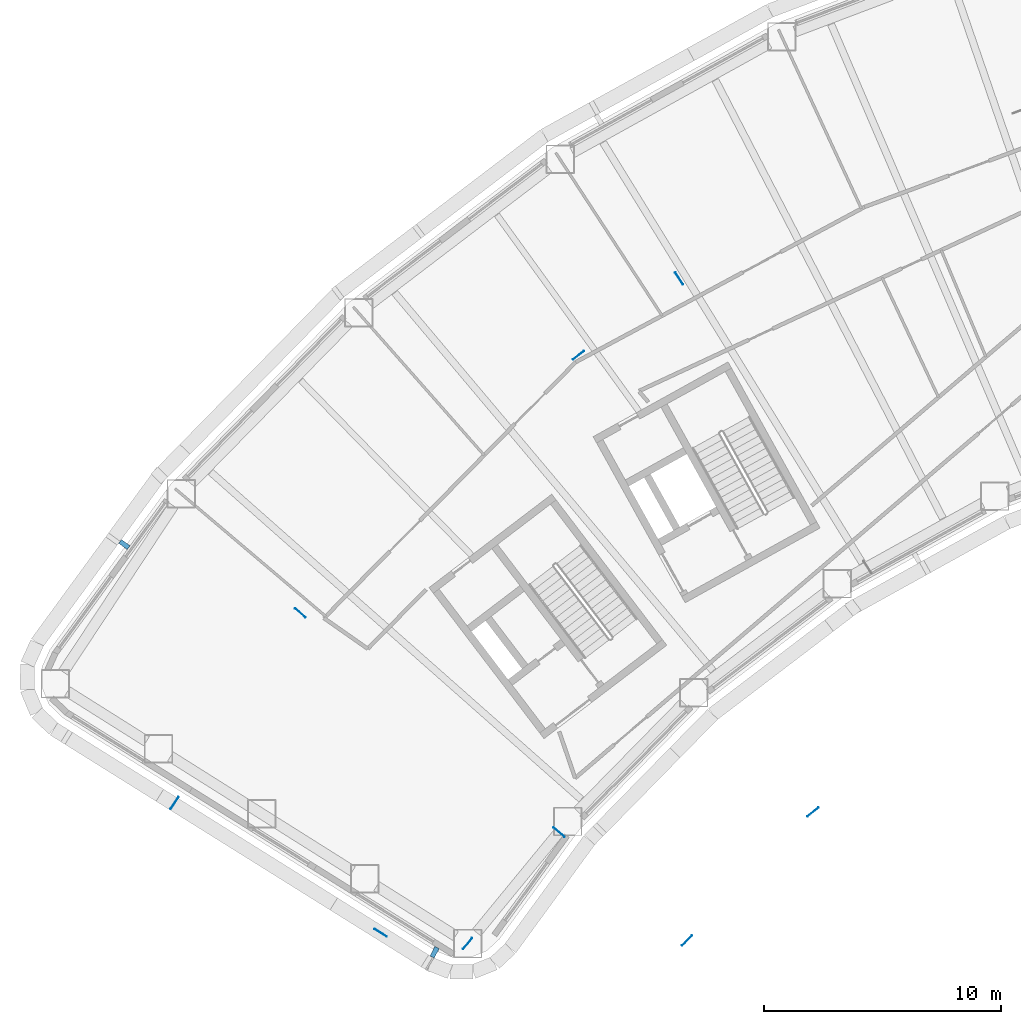
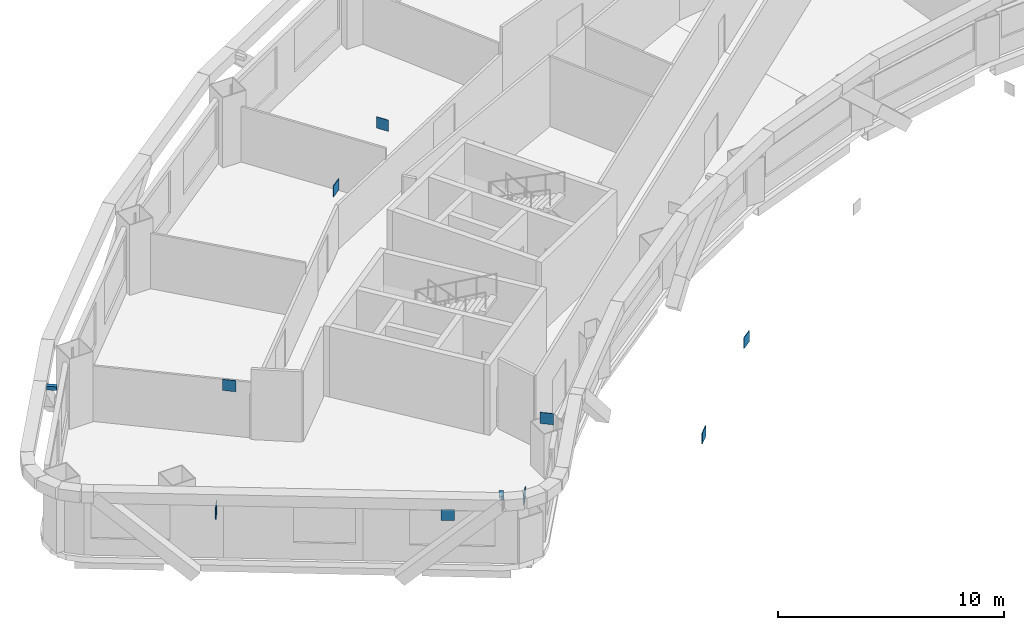
# One storey, part 10 of 19: 11 discrete accessories.
"""IFC4 building model written with IfcOpenShell, lengths in metres."""

from ifc_helpers import new_model, si_unit, direction, frame, origin, origin_2d, place, context, subcontext, project, spatial, rectangle, extrude, material, type_object, element, save


model = new_model("IFC4")

# Units and contexts
model_context = context("Model", 3, precision=1e-05, world=origin(), true_north=direction((0.0, 1.0)))
body_context = subcontext(model_context, "Body", "Model", "MODEL_VIEW")
ifc_project = project(units=[si_unit("LENGTHUNIT", "METRE"), si_unit("AREAUNIT", "SQUARE_METRE"), si_unit("VOLUMEUNIT", "CUBIC_METRE"), si_unit("PLANEANGLEUNIT", "RADIAN"), si_unit("MASSUNIT", "GRAM", prefix="KILO")], contexts=[model_context])

# Site, building, storey
site_placement = place(None, origin())
site = spatial("IfcSite", under=ifc_project, at=site_placement, CompositionType="ELEMENT")
building_placement = place(site_placement, origin())
building = spatial("IfcBuilding", under=site, at=building_placement, Name="Tuul Gate Civic Tower", CompositionType="ELEMENT")
storey_placement = place(building_placement, frame((0.0, 0.0, 90.60009765625)))
storey = spatial("IfcBuildingStorey", under=building, at=storey_placement, Name="Level 20", CompositionType="ELEMENT", Elevation=90.60009765625)

# Discrete accessories
ifc_material_1 = material(Name="Steel S355", Category="steel")
discrete_accessory_type_1 = type_object("IfcDiscreteAccessoryType", Name="Gusset plate", PredefinedType="BRACKET", material=ifc_material_1)
for number, where, z_axis, x_axis, name in (
    (1, (-30.576904296875, 1.664794921875, 2.796875), (0.0, 0.0, 1.0), (0.546721915066, -0.837314246616, 0.0), "Gusset plate"),
    (2, (-46.5458984375, -12.428955078125, 2.796875), (0.0, 0.0, 1.0), (0.76282474496, -0.646605295738, 0.0), "Gusset plate"),
    (3, (-35.642822265625, -21.66845703125, 2.797119140625), (0.0, 0.0, 1.0), (-0.76282474496, 0.646605295738, 0.0), "Gusset plate"),
    (4, (-34.821533203125, -1.570068359375, 2.796630859375), (0.0, 0.0, 1.0), (0.795629478909, 0.605783568852, 0.0), "Gusset plate"),
    (5, (-51.844482421875, -20.442626953125, 2.79638671875), (0.0, 0.0, 1.0), (0.551597524527, 0.834110406922, 0.0), "Gusset plate"),
    (6, (-24.938232421875, -20.81689453125, 2.796142578125), (0.0, 0.0, 1.0), (0.795616135693, 0.605801093284, 0.0), "Gusset plate"),
    (7, (-30.251708984375, -26.237548828125, 2.796630859375), (0.0, 0.0, 1.0), (0.700023993072, 0.714119324149, 0.0), "Gusset plate"),
    (8, (-39.49267578125, -26.362548828125, 2.796630859375), (0.0, 0.0, 1.0), (0.634399544235, 0.773005315813, 0.0), "Gusset plate"),
    (9, (-43.156982421875, -25.910888671875, 2.796630859375), (0.0, 0.0, 1.0), (-0.846187288195, 0.532885609956, 0.0), "Gusset plate"),
):
    element("IfcDiscreteAccessory", number, at=place(storey_placement, frame(where, z_axis=z_axis, x_axis=x_axis)), inside=storey, type_object=discrete_accessory_type_1, Name=name, PredefinedType="BRACKET", context=body_context, shape_type="SweptSolid", body=[
        extrude(rectangle(XDim=0.60009765625, YDim=0.030029296875, at=origin_2d()), origin(), (0.0, 0.0, 1.0), 0.60009765625),
    ])
ifc_material_2 = material(Name="Stainless steel", Category="steel")
discrete_accessory_type_2 = type_object("IfcDiscreteAccessoryType", Name="Screen bracket", PredefinedType="BRACKET", material=ifc_material_2)
discrete_accessory_1_placement = place(storey_placement, frame((-53.959716796875, -9.545166015625, 3.75), z_axis=(0.0, 0.0, 1.0), x_axis=(-0.803018267123, 0.595954413246, 0.0)))
element("IfcDiscreteAccessory", 10, at=discrete_accessory_1_placement, inside=storey, type_object=discrete_accessory_type_2, Name="Screen bracket 17", PredefinedType="BRACKET", context=body_context, shape_type="SweptSolid", body=[
    extrude(rectangle(XDim=0.449951171875, YDim=0.199951171875, at=origin_2d()), origin(), (0.0, 0.0, 1.0), 0.199951171875),
])
discrete_accessory_2_placement = place(storey_placement, frame((-40.884521484375, -26.727783203125, 3.75), z_axis=(0.0, 0.0, 1.0), x_axis=(-0.448849609242, -0.893607312125, 0.0)))
element("IfcDiscreteAccessory", 11, at=discrete_accessory_2_placement, inside=storey, type_object=discrete_accessory_type_2, Name="Screen bracket 20", PredefinedType="BRACKET", context=body_context, shape_type="SweptSolid", body=[
    extrude(rectangle(XDim=0.451904296875, YDim=0.199951171875, at=origin_2d()), origin(), (0.0, 0.0, 1.0), 0.199951171875),
])

save(model, "model.ifc")
